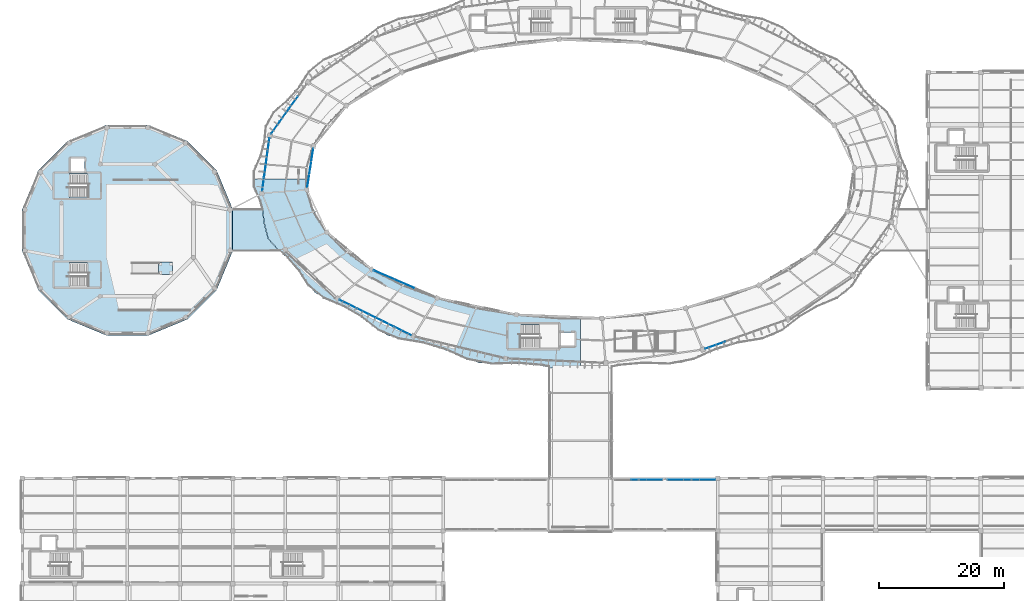
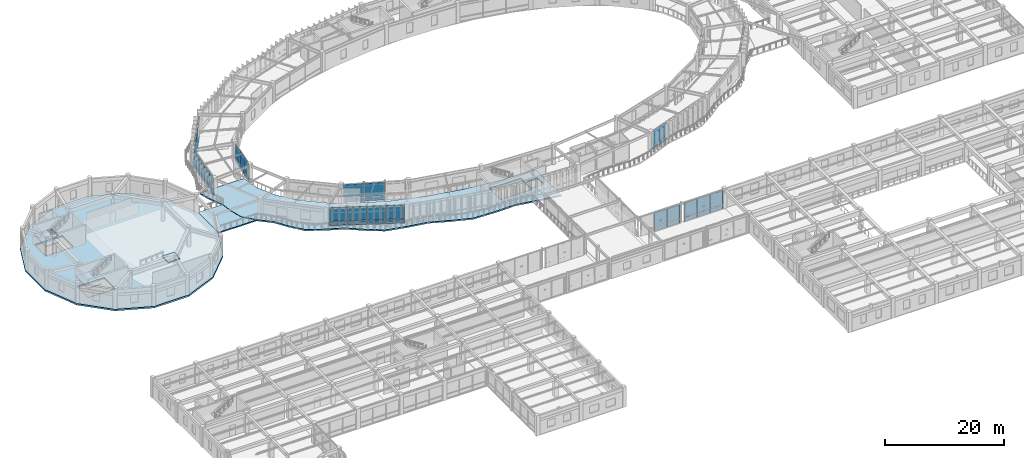
# One storey, part 113 of 152: 44 plates, 6 slabs, 11 elements without a shape of their own.
"""IFC4 building model written with IfcOpenShell, lengths in metres."""

from ifc_helpers import new_model, si_unit, direction, frame, origin, origin_2d, place, context, subcontext, project, spatial, polyline, rectangle, outline, extrude, material, layer, layer_set, type_object, element, aggregate, save


model = new_model("IFC4")

# Units and contexts
model_context = context("Model", 3, precision=1e-05, world=origin(), true_north=direction((0.0, 1.0)))
body_context = subcontext(model_context, "Body", "Model", "MODEL_VIEW")
ifc_project = project(units=[si_unit("LENGTHUNIT", "METRE"), si_unit("AREAUNIT", "SQUARE_METRE"), si_unit("VOLUMEUNIT", "CUBIC_METRE"), si_unit("PLANEANGLEUNIT", "RADIAN"), si_unit("MASSUNIT", "GRAM", prefix="KILO"), si_unit("THERMODYNAMICTEMPERATUREUNIT", "KELVIN"), si_unit("POWERUNIT", "WATT")], contexts=[model_context])

# Site, building, storey
site_placement = place(None, origin())
site = spatial("IfcSite", under=ifc_project, at=site_placement, CompositionType="ELEMENT")
building_placement = place(site_placement, origin())
building = spatial("IfcBuilding", under=site, at=building_placement, Name="Darbajah Civic Hall", CompositionType="ELEMENT")
storey_placement = place(building_placement, frame((0.0, 0.0, 5.39990234375)))
storey = spatial("IfcBuildingStorey", under=building, at=storey_placement, Name="L01", CompositionType="ELEMENT", Elevation=5.39990234375)

# Curtain wall, plates
ifc_material_1 = material(Name="Anodised Bronze Aluminium and Low-E Glazing", Category="aluminium")
curtain_wall_type_1 = type_object("IfcCurtainWallType", Name="Unitised Curtain Wall CW-27 9700x3900", PredefinedType="USERDEFINED", material=ifc_material_1)
curtain_wall_1_placement = place(storey_placement, origin())
curtain_wall_1 = element("IfcCurtainWall", 1, at=curtain_wall_1_placement, inside=storey, type_object=curtain_wall_type_1, Name="L01 unitised curtain wall CW-V1O-L01-08", ObjectType="UNITISED CURTAIN WALL", PredefinedType="USERDEFINED")
ifc_material_2 = material(Name="Low-E Solar Control Double Glazing", Category="glass")
ifc_layer_1 = layer(ifc_material_2, 0.02392578125, Name="Low-E Solar Control Double Glazing")
ifc_layer_set_1 = layer_set([ifc_layer_1], Name="Low-E Solar Control Double Glazing")
plate_type_1 = type_object("IfcPlateType", Name="Solar Double Glazing 24mm", PredefinedType="CURTAIN_PANEL", material=ifc_layer_set_1)
plate_1_placement = place(storey_placement, frame((43.270751953125, 101.939453125, 0.10009765625), z_axis=(0.0, 0.0, 1.0), x_axis=(-0.582264874145, -0.812999149039, 0.0)))
plate_1 = element("IfcPlate", 2, at=plate_1_placement, type_object=plate_type_1, Name="CW-V1O-L01-08 glazed panel 2.1", PredefinedType="CURTAIN_PANEL", context=body_context, shape_type="SweptSolid", body=[
    extrude(rectangle(XDim=2.368408203125, YDim=0.02392578125, at=origin_2d()), origin(), (0.0, 0.0, 1.0), 0.800048828125),
])
plate_2_placement = place(storey_placement, frame((43.270751953125, 101.939453125, 1.0), z_axis=(0.0, 0.0, 1.0), x_axis=(-0.582264874145, -0.812999149039, 0.0)))
plate_2 = element("IfcPlate", 3, at=plate_2_placement, type_object=plate_type_1, Name="CW-V1O-L01-08 glazed panel 2.2", PredefinedType="CURTAIN_PANEL", context=body_context, shape_type="SweptSolid", body=[
    extrude(rectangle(XDim=2.368408203125, YDim=0.02392578125, at=origin_2d()), origin(), (0.0, 0.0, 1.0), 2.820068359375),
])
plate_3_placement = place(storey_placement, frame((41.853759765625, 99.960693359375, 0.10009765625), z_axis=(0.0, 0.0, 1.0), x_axis=(-0.582264874145, -0.812999149039, 0.0)))
plate_3 = element("IfcPlate", 4, at=plate_3_placement, type_object=plate_type_1, Name="CW-V1O-L01-08 glazed panel 3.1", PredefinedType="CURTAIN_PANEL", context=body_context, shape_type="SweptSolid", body=[
    extrude(rectangle(XDim=2.368408203125, YDim=0.02392578125, at=origin_2d()), origin(), (0.0, 0.0, 1.0), 0.800048828125),
])
plate_4_placement = place(storey_placement, frame((41.853759765625, 99.960693359375, 1.0), z_axis=(0.0, 0.0, 1.0), x_axis=(-0.582264874145, -0.812999149039, 0.0)))
plate_4 = element("IfcPlate", 5, at=plate_4_placement, type_object=plate_type_1, Name="CW-V1O-L01-08 glazed panel 3.2", PredefinedType="CURTAIN_PANEL", context=body_context, shape_type="SweptSolid", body=[
    extrude(rectangle(XDim=2.368408203125, YDim=0.02392578125, at=origin_2d()), origin(), (0.0, 0.0, 1.0), 2.820068359375),
])
plate_5_placement = place(storey_placement, frame((40.43701171875, 97.982421875, 0.10009765625), z_axis=(0.0, 0.0, 1.0), x_axis=(-0.582264874145, -0.812999149039, 0.0)))
plate_5 = element("IfcPlate", 6, at=plate_5_placement, type_object=plate_type_1, Name="CW-V1O-L01-08 glazed panel 4.1", PredefinedType="CURTAIN_PANEL", context=body_context, shape_type="SweptSolid", body=[
    extrude(rectangle(XDim=2.368408203125, YDim=0.02392578125, at=origin_2d()), origin(), (0.0, 0.0, 1.0), 0.800048828125),
])
plate_6_placement = place(storey_placement, frame((40.43701171875, 97.982421875, 1.0), z_axis=(0.0, 0.0, 1.0), x_axis=(-0.582264874145, -0.812999149039, 0.0)))
plate_6 = element("IfcPlate", 7, at=plate_6_placement, type_object=plate_type_1, Name="CW-V1O-L01-08 glazed panel 4.2", PredefinedType="CURTAIN_PANEL", context=body_context, shape_type="SweptSolid", body=[
    extrude(rectangle(XDim=2.368408203125, YDim=0.02392578125, at=origin_2d()), origin(), (0.0, 0.0, 1.0), 2.820068359375),
])
aggregate(curtain_wall_1, [plate_1, plate_2, plate_3, plate_4, plate_5, plate_6])

curtain_wall_type_2 = type_object("IfcCurtainWallType", Name="Unitised Curtain Wall CW-103 7600x3950", PredefinedType="USERDEFINED", material=ifc_material_1)
curtain_wall_2_placement = place(storey_placement, origin())
curtain_wall_2 = element("IfcCurtainWall", 8, at=curtain_wall_2_placement, inside=storey, type_object=curtain_wall_type_2, Name="L01 unitised curtain wall CW-V6-SE-N-L01", ObjectType="UNITISED CURTAIN WALL", PredefinedType="USERDEFINED")
plate_7_placement = place(storey_placement, frame((98.39990234375, 41.75, 0.10009765625), z_axis=(0.0, 0.0, 1.0), x_axis=(1.0, 0.0, 0.0)))
plate_7 = element("IfcPlate", 9, at=plate_7_placement, type_object=plate_type_1, Name="CW-V6-SE-N-L01 glazed panel 2.1", PredefinedType="CURTAIN_PANEL", context=body_context, shape_type="SweptSolid", body=[
    extrude(rectangle(XDim=2.46826171875, YDim=0.02392578125, at=origin_2d()), origin(), (0.0, 0.0, 1.0), 0.800048828125),
])
plate_8_placement = place(storey_placement, frame((98.39990234375, 41.75, 1.0), z_axis=(0.0, 0.0, 1.0), x_axis=(1.0, 0.0, 0.0)))
plate_8 = element("IfcPlate", 10, at=plate_8_placement, type_object=plate_type_1, Name="CW-V6-SE-N-L01 glazed panel 2.2", PredefinedType="CURTAIN_PANEL", context=body_context, shape_type="SweptSolid", body=[
    extrude(rectangle(XDim=2.46826171875, YDim=0.02392578125, at=origin_2d()), origin(), (0.0, 0.0, 1.0), 2.830078125),
])
plate_9_placement = place(storey_placement, frame((100.933349609375, 41.75, 0.10009765625), z_axis=(0.0, 0.0, 1.0), x_axis=(1.0, 0.0, 0.0)))
plate_9 = element("IfcPlate", 11, at=plate_9_placement, type_object=plate_type_1, Name="CW-V6-SE-N-L01 glazed panel 3.1", PredefinedType="CURTAIN_PANEL", context=body_context, shape_type="SweptSolid", body=[
    extrude(rectangle(XDim=2.46826171875, YDim=0.02392578125, at=origin_2d()), origin(), (0.0, 0.0, 1.0), 0.800048828125),
])
plate_10_placement = place(storey_placement, frame((100.933349609375, 41.75, 1.0), z_axis=(0.0, 0.0, 1.0), x_axis=(1.0, 0.0, 0.0)))
plate_10 = element("IfcPlate", 12, at=plate_10_placement, type_object=plate_type_1, Name="CW-V6-SE-N-L01 glazed panel 3.2", PredefinedType="CURTAIN_PANEL", context=body_context, shape_type="SweptSolid", body=[
    extrude(rectangle(XDim=2.46826171875, YDim=0.02392578125, at=origin_2d()), origin(), (0.0, 0.0, 1.0), 2.830078125),
])
aggregate(curtain_wall_2, [plate_7, plate_8, plate_9, plate_10])

curtain_wall_3_placement = place(storey_placement, origin())
curtain_wall_3 = element("IfcCurtainWall", 13, at=curtain_wall_3_placement, inside=storey, type_object=curtain_wall_type_2, Name="L01 unitised curtain wall CW-V6-SE-N2-L01", ObjectType="UNITISED CURTAIN WALL", PredefinedType="USERDEFINED")
plate_11_placement = place(storey_placement, frame((104.2666015625, 41.75, 0.10009765625), z_axis=(0.0, 0.0, 1.0), x_axis=(1.0, 0.0, 0.0)))
plate_11 = element("IfcPlate", 14, at=plate_11_placement, type_object=plate_type_1, Name="CW-V6-SE-N2-L01 glazed panel 1.1", PredefinedType="CURTAIN_PANEL", context=body_context, shape_type="SweptSolid", body=[
    extrude(rectangle(XDim=2.46826171875, YDim=0.02392578125, at=origin_2d()), origin(), (0.0, 0.0, 1.0), 0.800048828125),
])
plate_12_placement = place(storey_placement, frame((104.2666015625, 41.75, 1.0), z_axis=(0.0, 0.0, 1.0), x_axis=(1.0, 0.0, 0.0)))
plate_12 = element("IfcPlate", 15, at=plate_12_placement, type_object=plate_type_1, Name="CW-V6-SE-N2-L01 glazed panel 1.2", PredefinedType="CURTAIN_PANEL", context=body_context, shape_type="SweptSolid", body=[
    extrude(rectangle(XDim=2.46826171875, YDim=0.02392578125, at=origin_2d()), origin(), (0.0, 0.0, 1.0), 2.830078125),
])
plate_13_placement = place(storey_placement, frame((106.800048828125, 41.75, 0.10009765625), z_axis=(0.0, 0.0, 1.0), x_axis=(1.0, 0.0, 0.0)))
plate_13 = element("IfcPlate", 16, at=plate_13_placement, type_object=plate_type_1, Name="CW-V6-SE-N2-L01 glazed panel 2.1", PredefinedType="CURTAIN_PANEL", context=body_context, shape_type="SweptSolid", body=[
    extrude(rectangle(XDim=2.46826171875, YDim=0.02392578125, at=origin_2d()), origin(), (0.0, 0.0, 1.0), 0.800048828125),
])
plate_14_placement = place(storey_placement, frame((106.800048828125, 41.75, 1.0), z_axis=(0.0, 0.0, 1.0), x_axis=(1.0, 0.0, 0.0)))
plate_14 = element("IfcPlate", 17, at=plate_14_placement, type_object=plate_type_1, Name="CW-V6-SE-N2-L01 glazed panel 2.2", PredefinedType="CURTAIN_PANEL", context=body_context, shape_type="SweptSolid", body=[
    extrude(rectangle(XDim=2.46826171875, YDim=0.02392578125, at=origin_2d()), origin(), (0.0, 0.0, 1.0), 2.830078125),
])
plate_15_placement = place(storey_placement, frame((109.333251953125, 41.75, 0.10009765625), z_axis=(0.0, 0.0, 1.0), x_axis=(1.0, 0.0, 0.0)))
plate_15 = element("IfcPlate", 18, at=plate_15_placement, type_object=plate_type_1, Name="CW-V6-SE-N2-L01 glazed panel 3.1", PredefinedType="CURTAIN_PANEL", context=body_context, shape_type="SweptSolid", body=[
    extrude(rectangle(XDim=2.46826171875, YDim=0.02392578125, at=origin_2d()), origin(), (0.0, 0.0, 1.0), 0.800048828125),
])
plate_16_placement = place(storey_placement, frame((109.333251953125, 41.75, 1.0), z_axis=(0.0, 0.0, 1.0), x_axis=(1.0, 0.0, 0.0)))
plate_16 = element("IfcPlate", 19, at=plate_16_placement, type_object=plate_type_1, Name="CW-V6-SE-N2-L01 glazed panel 3.2", PredefinedType="CURTAIN_PANEL", context=body_context, shape_type="SweptSolid", body=[
    extrude(rectangle(XDim=2.46826171875, YDim=0.02392578125, at=origin_2d()), origin(), (0.0, 0.0, 1.0), 2.830078125),
])
aggregate(curtain_wall_3, [plate_11, plate_12, plate_13, plate_14, plate_15, plate_16])

curtain_wall_type_3 = type_object("IfcCurtainWallType", Name="Unitised Curtain Wall CW-29 6300x3900", PredefinedType="USERDEFINED", material=ifc_material_1)
curtain_wall_4_placement = place(storey_placement, origin())
curtain_wall_4 = element("IfcCurtainWall", 20, at=curtain_wall_4_placement, inside=storey, type_object=curtain_wall_type_3, Name="L01 unitised curtain wall CW-V1I-L01-09", ObjectType="UNITISED CURTAIN WALL", PredefinedType="USERDEFINED")
ifc_layer_2 = layer(ifc_material_2, 0.028076171875, Name="Low-E Solar Control Double Glazing")
ifc_layer_set_2 = layer_set([ifc_layer_2], Name="Low-E Solar Control Double Glazing")
plate_type_2 = type_object("IfcPlateType", Name="Solar Double Glazing 28mm", PredefinedType="CURTAIN_PANEL", material=ifc_layer_set_2)
plate_17_placement = place(storey_placement, frame((46.295166015625, 93.614501953125, 0.1201171875), z_axis=(0.0, 0.0, 1.0), x_axis=(-0.152813355565, -0.98825506746, 0.0)))
plate_17 = element("IfcPlate", 21, at=plate_17_placement, type_object=plate_type_2, Name="CW-V1I-L01-09 glazed panel 1.1", PredefinedType="CURTAIN_PANEL", context=body_context, shape_type="SweptSolid", body=[
    extrude(rectangle(XDim=2.041259765625, YDim=0.028076171875, at=origin_2d()), origin(), (0.0, 0.0, 1.0), 0.77001953125),
])
plate_18_placement = place(storey_placement, frame((46.295166015625, 93.614501953125, 1.010009765625), z_axis=(0.0, 0.0, 1.0), x_axis=(-0.152813355565, -0.98825506746, 0.0)))
plate_18 = element("IfcPlate", 22, at=plate_18_placement, type_object=plate_type_2, Name="CW-V1I-L01-09 glazed panel 1.2", PredefinedType="CURTAIN_PANEL", context=body_context, shape_type="SweptSolid", body=[
    extrude(rectangle(XDim=2.041259765625, YDim=0.028076171875, at=origin_2d()), origin(), (0.0, 0.0, 1.0), 2.7900390625),
])
plate_19_placement = place(storey_placement, frame((45.97265625, 91.528076171875, 0.1201171875), z_axis=(0.0, 0.0, 1.0), x_axis=(-0.152813355565, -0.98825506746, 0.0)))
plate_19 = element("IfcPlate", 23, at=plate_19_placement, type_object=plate_type_2, Name="CW-V1I-L01-09 glazed panel 2.1", PredefinedType="CURTAIN_PANEL", context=body_context, shape_type="SweptSolid", body=[
    extrude(rectangle(XDim=2.041259765625, YDim=0.028076171875, at=origin_2d()), origin(), (0.0, 0.0, 1.0), 0.77001953125),
])
plate_20_placement = place(storey_placement, frame((45.97265625, 91.528076171875, 1.010009765625), z_axis=(0.0, 0.0, 1.0), x_axis=(-0.152813355565, -0.98825506746, 0.0)))
plate_20 = element("IfcPlate", 24, at=plate_20_placement, type_object=plate_type_2, Name="CW-V1I-L01-09 glazed panel 2.2", PredefinedType="CURTAIN_PANEL", context=body_context, shape_type="SweptSolid", body=[
    extrude(rectangle(XDim=2.041259765625, YDim=0.028076171875, at=origin_2d()), origin(), (0.0, 0.0, 1.0), 2.7900390625),
])
plate_21_placement = place(storey_placement, frame((45.650146484375, 89.441650390625, 0.1201171875), z_axis=(0.0, 0.0, 1.0), x_axis=(-0.152813355565, -0.98825506746, 0.0)))
plate_21 = element("IfcPlate", 25, at=plate_21_placement, type_object=plate_type_2, Name="CW-V1I-L01-09 glazed panel 3.1", PredefinedType="CURTAIN_PANEL", context=body_context, shape_type="SweptSolid", body=[
    extrude(rectangle(XDim=2.041259765625, YDim=0.028076171875, at=origin_2d()), origin(), (0.0, 0.0, 1.0), 0.77001953125),
])
plate_22_placement = place(storey_placement, frame((45.650146484375, 89.441650390625, 1.010009765625), z_axis=(0.0, 0.0, 1.0), x_axis=(-0.152813355565, -0.98825506746, 0.0)))
plate_22 = element("IfcPlate", 26, at=plate_22_placement, type_object=plate_type_2, Name="CW-V1I-L01-09 glazed panel 3.2", PredefinedType="CURTAIN_PANEL", context=body_context, shape_type="SweptSolid", body=[
    extrude(rectangle(XDim=2.041259765625, YDim=0.028076171875, at=origin_2d()), origin(), (0.0, 0.0, 1.0), 2.7900390625),
])
aggregate(curtain_wall_4, [plate_17, plate_18, plate_19, plate_20, plate_21, plate_22])

curtain_wall_type_4 = type_object("IfcCurtainWallType", Name="Unitised Curtain Wall CW-19 10700x3900", PredefinedType="USERDEFINED", material=ifc_material_1)
curtain_wall_5_placement = place(storey_placement, origin())
curtain_wall_5 = element("IfcCurtainWall", 27, at=curtain_wall_5_placement, inside=storey, type_object=curtain_wall_type_4, Name="L01 unitised curtain wall CW-V1I-L01-12", ObjectType="UNITISED CURTAIN WALL", PredefinedType="USERDEFINED")
plate_23_placement = place(storey_placement, frame((57.74609375, 74.468505859375, 0.1201171875), z_axis=(0.0, 0.0, 1.0), x_axis=(0.917060074385, -0.398749068925, 0.0)))
plate_23 = element("IfcPlate", 28, at=plate_23_placement, type_object=plate_type_2, Name="CW-V1I-L01-12 glazed panel 1.1", PredefinedType="CURTAIN_PANEL", context=body_context, shape_type="SweptSolid", body=[
    extrude(rectangle(XDim=3.48291015625, YDim=0.028076171875, at=origin_2d()), origin(), (0.0, 0.0, 1.0), 0.77001953125),
])
plate_24_placement = place(storey_placement, frame((57.74609375, 74.468505859375, 1.010009765625), z_axis=(0.0, 0.0, 1.0), x_axis=(0.917060074385, -0.398749068925, 0.0)))
plate_24 = element("IfcPlate", 29, at=plate_24_placement, type_object=plate_type_2, Name="CW-V1I-L01-12 glazed panel 1.2", PredefinedType="CURTAIN_PANEL", context=body_context, shape_type="SweptSolid", body=[
    extrude(rectangle(XDim=3.48291015625, YDim=0.028076171875, at=origin_2d()), origin(), (0.0, 0.0, 1.0), 2.7900390625),
])
plate_25_placement = place(storey_placement, frame((61.00439453125, 73.0517578125, 0.1201171875), z_axis=(0.0, 0.0, 1.0), x_axis=(0.917060074385, -0.398749068925, 0.0)))
plate_25 = element("IfcPlate", 30, at=plate_25_placement, type_object=plate_type_2, Name="CW-V1I-L01-12 glazed panel 2.1", PredefinedType="CURTAIN_PANEL", context=body_context, shape_type="SweptSolid", body=[
    extrude(rectangle(XDim=3.48291015625, YDim=0.028076171875, at=origin_2d()), origin(), (0.0, 0.0, 1.0), 0.77001953125),
])
plate_26_placement = place(storey_placement, frame((61.00439453125, 73.0517578125, 1.010009765625), z_axis=(0.0, 0.0, 1.0), x_axis=(0.917060074385, -0.398749068925, 0.0)))
plate_26 = element("IfcPlate", 31, at=plate_26_placement, type_object=plate_type_2, Name="CW-V1I-L01-12 glazed panel 2.2", PredefinedType="CURTAIN_PANEL", context=body_context, shape_type="SweptSolid", body=[
    extrude(rectangle(XDim=3.48291015625, YDim=0.028076171875, at=origin_2d()), origin(), (0.0, 0.0, 1.0), 2.7900390625),
])
aggregate(curtain_wall_5, [plate_23, plate_24, plate_25, plate_26])

curtain_wall_type_5 = type_object("IfcCurtainWallType", Name="Unitised Curtain Wall CW-33 13700x3900", PredefinedType="USERDEFINED", material=ifc_material_1)
curtain_wall_6_placement = place(storey_placement, origin())
curtain_wall_6 = element("IfcCurtainWall", 32, at=curtain_wall_6_placement, inside=storey, type_object=curtain_wall_type_5, Name="L01 unitised curtain wall CW-V1O-L01-16", ObjectType="UNITISED CURTAIN WALL", PredefinedType="USERDEFINED")
plate_27_placement = place(storey_placement, frame((110.583984375, 63.242919921875, 0.1201171875), z_axis=(0.0, 0.0, 1.0), x_axis=(0.94252491309, 0.334135882844, 0.0)))
plate_27 = element("IfcPlate", 33, at=plate_27_placement, type_object=plate_type_2, Name="CW-V1O-L01-16 glazed panel 1.1", PredefinedType="CURTAIN_PANEL", context=body_context, shape_type="SweptSolid", body=[
    extrude(rectangle(XDim=3.35009765625, YDim=0.028076171875, at=origin_2d()), origin(), (0.0, 0.0, 1.0), 0.77001953125),
])
plate_28_placement = place(storey_placement, frame((110.583984375, 63.242919921875, 1.010009765625), z_axis=(0.0, 0.0, 1.0), x_axis=(0.94252491309, 0.334135882844, 0.0)))
plate_28 = element("IfcPlate", 34, at=plate_28_placement, type_object=plate_type_2, Name="CW-V1O-L01-16 glazed panel 1.2", PredefinedType="CURTAIN_PANEL", context=body_context, shape_type="SweptSolid", body=[
    extrude(rectangle(XDim=3.35009765625, YDim=0.028076171875, at=origin_2d()), origin(), (0.0, 0.0, 1.0), 2.7900390625),
])
aggregate(curtain_wall_6, [plate_27, plate_28])

curtain_wall_type_6 = type_object("IfcCurtainWallType", Name="Unitised Curtain Wall CW-28 8500x3900", PredefinedType="USERDEFINED", material=ifc_material_1)
curtain_wall_7_placement = place(storey_placement, origin())
curtain_wall_7 = element("IfcCurtainWall", 35, at=curtain_wall_7_placement, inside=storey, type_object=curtain_wall_type_6, Name="L01 unitised curtain wall CW-V1O-L01-09", ObjectType="UNITISED CURTAIN WALL", PredefinedType="USERDEFINED")
ifc_layer_3 = layer(ifc_material_2, 0.031982421875, Name="Low-E Solar Control Double Glazing")
ifc_layer_set_3 = layer_set([ifc_layer_3], Name="Low-E Solar Control Double Glazing")
plate_type_3 = type_object("IfcPlateType", Name="Solar Double Glazing 32mm", PredefinedType="CURTAIN_PANEL", material=ifc_layer_set_3)
plate_29_placement = place(storey_placement, frame((39.314453125, 95.256103515625, 0.14013671875), z_axis=(0.0, 0.0, 1.0), x_axis=(-0.134850930274, -0.990865897387, 0.0)))
plate_29 = element("IfcPlate", 36, at=plate_29_placement, type_object=plate_type_3, Name="CW-V1O-L01-09 glazed panel 1.1", PredefinedType="CURTAIN_PANEL", context=body_context, shape_type="SweptSolid", body=[
    extrude(rectangle(XDim=2.05810546875, YDim=0.031982421875, at=origin_2d()), origin(), (0.0, 0.0, 1.0), 0.739990234375),
])
plate_30_placement = place(storey_placement, frame((39.314453125, 95.256103515625, 1.02001953125), z_axis=(0.0, 0.0, 1.0), x_axis=(-0.134850930274, -0.990865897387, 0.0)))
plate_30 = element("IfcPlate", 37, at=plate_30_placement, type_object=plate_type_3, Name="CW-V1O-L01-09 glazed panel 1.2", PredefinedType="CURTAIN_PANEL", context=body_context, shape_type="SweptSolid", body=[
    extrude(rectangle(XDim=2.05810546875, YDim=0.031982421875, at=origin_2d()), origin(), (0.0, 0.0, 1.0), 2.760009765625),
])
plate_31_placement = place(storey_placement, frame((39.02685546875, 93.142822265625, 0.14013671875), z_axis=(0.0, 0.0, 1.0), x_axis=(-0.134850930274, -0.990865897387, 0.0)))
plate_31 = element("IfcPlate", 38, at=plate_31_placement, type_object=plate_type_3, Name="CW-V1O-L01-09 glazed panel 2.1", PredefinedType="CURTAIN_PANEL", context=body_context, shape_type="SweptSolid", body=[
    extrude(rectangle(XDim=2.05810546875, YDim=0.031982421875, at=origin_2d()), origin(), (0.0, 0.0, 1.0), 0.739990234375),
])
plate_32_placement = place(storey_placement, frame((39.02685546875, 93.142822265625, 1.02001953125), z_axis=(0.0, 0.0, 1.0), x_axis=(-0.134850930274, -0.990865897387, 0.0)))
plate_32 = element("IfcPlate", 39, at=plate_32_placement, type_object=plate_type_3, Name="CW-V1O-L01-09 glazed panel 2.2", PredefinedType="CURTAIN_PANEL", context=body_context, shape_type="SweptSolid", body=[
    extrude(rectangle(XDim=2.05810546875, YDim=0.031982421875, at=origin_2d()), origin(), (0.0, 0.0, 1.0), 2.760009765625),
])
plate_33_placement = place(storey_placement, frame((38.739501953125, 91.029296875, 0.14013671875), z_axis=(0.0, 0.0, 1.0), x_axis=(-0.134850930274, -0.990865897387, 0.0)))
plate_33 = element("IfcPlate", 40, at=plate_33_placement, type_object=plate_type_3, Name="CW-V1O-L01-09 glazed panel 3.1", PredefinedType="CURTAIN_PANEL", context=body_context, shape_type="SweptSolid", body=[
    extrude(rectangle(XDim=2.05810546875, YDim=0.031982421875, at=origin_2d()), origin(), (0.0, 0.0, 1.0), 0.739990234375),
])
plate_34_placement = place(storey_placement, frame((38.739501953125, 91.029296875, 1.02001953125), z_axis=(0.0, 0.0, 1.0), x_axis=(-0.134850930274, -0.990865897387, 0.0)))
plate_34 = element("IfcPlate", 41, at=plate_34_placement, type_object=plate_type_3, Name="CW-V1O-L01-09 glazed panel 3.2", PredefinedType="CURTAIN_PANEL", context=body_context, shape_type="SweptSolid", body=[
    extrude(rectangle(XDim=2.05810546875, YDim=0.031982421875, at=origin_2d()), origin(), (0.0, 0.0, 1.0), 2.760009765625),
])
plate_35_placement = place(storey_placement, frame((38.451904296875, 88.916015625, 0.14013671875), z_axis=(0.0, 0.0, 1.0), x_axis=(-0.134850930274, -0.990865897387, 0.0)))
plate_35 = element("IfcPlate", 42, at=plate_35_placement, type_object=plate_type_3, Name="CW-V1O-L01-09 glazed panel 4.1", PredefinedType="CURTAIN_PANEL", context=body_context, shape_type="SweptSolid", body=[
    extrude(rectangle(XDim=2.05810546875, YDim=0.031982421875, at=origin_2d()), origin(), (0.0, 0.0, 1.0), 0.739990234375),
])
plate_36_placement = place(storey_placement, frame((38.451904296875, 88.916015625, 1.02001953125), z_axis=(0.0, 0.0, 1.0), x_axis=(-0.134850930274, -0.990865897387, 0.0)))
plate_36 = element("IfcPlate", 43, at=plate_36_placement, type_object=plate_type_3, Name="CW-V1O-L01-09 glazed panel 4.2", PredefinedType="CURTAIN_PANEL", context=body_context, shape_type="SweptSolid", body=[
    extrude(rectangle(XDim=2.05810546875, YDim=0.031982421875, at=origin_2d()), origin(), (0.0, 0.0, 1.0), 2.760009765625),
])
aggregate(curtain_wall_7, [plate_29, plate_30, plate_31, plate_32, plate_33, plate_34, plate_35, plate_36])

curtain_wall_type_7 = type_object("IfcCurtainWallType", Name="Unitised Curtain Wall CW-30 12800x3900", PredefinedType="USERDEFINED", material=ifc_material_1)
curtain_wall_8_placement = place(storey_placement, origin())
curtain_wall_8 = element("IfcCurtainWall", 44, at=curtain_wall_8_placement, inside=storey, type_object=curtain_wall_type_7, Name="L01 unitised curtain wall CW-V1O-L01-12", ObjectType="UNITISED CURTAIN WALL", PredefinedType="USERDEFINED")
plate_37_placement = place(storey_placement, frame((52.08935546875, 69.766845703125, 0.14013671875), z_axis=(0.0, 0.0, 1.0), x_axis=(0.89656374724, -0.442914717678, 0.0)))
plate_37 = element("IfcPlate", 45, at=plate_37_placement, type_object=plate_type_3, Name="CW-V1O-L01-12 glazed panel 1.1", PredefinedType="CURTAIN_PANEL", context=body_context, shape_type="SweptSolid", body=[
    extrude(rectangle(XDim=3.119873046875, YDim=0.031982421875, at=origin_2d()), origin(), (0.0, 0.0, 1.0), 0.739990234375),
])
plate_38_placement = place(storey_placement, frame((52.08935546875, 69.766845703125, 1.02001953125), z_axis=(0.0, 0.0, 1.0), x_axis=(0.89656374724, -0.442914717678, 0.0)))
plate_38 = element("IfcPlate", 46, at=plate_38_placement, type_object=plate_type_3, Name="CW-V1O-L01-12 glazed panel 1.2", PredefinedType="CURTAIN_PANEL", context=body_context, shape_type="SweptSolid", body=[
    extrude(rectangle(XDim=3.119873046875, YDim=0.031982421875, at=origin_2d()), origin(), (0.0, 0.0, 1.0), 2.760009765625),
])
plate_39_placement = place(storey_placement, frame((54.95361328125, 68.351806640625, 0.14013671875), z_axis=(0.0, 0.0, 1.0), x_axis=(0.89656374724, -0.442914717678, 0.0)))
plate_39 = element("IfcPlate", 47, at=plate_39_placement, type_object=plate_type_3, Name="CW-V1O-L01-12 glazed panel 2.1", PredefinedType="CURTAIN_PANEL", context=body_context, shape_type="SweptSolid", body=[
    extrude(rectangle(XDim=3.119873046875, YDim=0.031982421875, at=origin_2d()), origin(), (0.0, 0.0, 1.0), 0.739990234375),
])
plate_40_placement = place(storey_placement, frame((54.95361328125, 68.351806640625, 1.02001953125), z_axis=(0.0, 0.0, 1.0), x_axis=(0.89656374724, -0.442914717678, 0.0)))
plate_40 = element("IfcPlate", 48, at=plate_40_placement, type_object=plate_type_3, Name="CW-V1O-L01-12 glazed panel 2.2", PredefinedType="CURTAIN_PANEL", context=body_context, shape_type="SweptSolid", body=[
    extrude(rectangle(XDim=3.119873046875, YDim=0.031982421875, at=origin_2d()), origin(), (0.0, 0.0, 1.0), 2.760009765625),
])
plate_41_placement = place(storey_placement, frame((57.818115234375, 66.936767578125, 0.14013671875), z_axis=(0.0, 0.0, 1.0), x_axis=(0.89656374724, -0.442914717678, 0.0)))
plate_41 = element("IfcPlate", 49, at=plate_41_placement, type_object=plate_type_3, Name="CW-V1O-L01-12 glazed panel 3.1", PredefinedType="CURTAIN_PANEL", context=body_context, shape_type="SweptSolid", body=[
    extrude(rectangle(XDim=3.119873046875, YDim=0.031982421875, at=origin_2d()), origin(), (0.0, 0.0, 1.0), 0.739990234375),
])
plate_42_placement = place(storey_placement, frame((57.818115234375, 66.936767578125, 1.02001953125), z_axis=(0.0, 0.0, 1.0), x_axis=(0.89656374724, -0.442914717678, 0.0)))
plate_42 = element("IfcPlate", 50, at=plate_42_placement, type_object=plate_type_3, Name="CW-V1O-L01-12 glazed panel 3.2", PredefinedType="CURTAIN_PANEL", context=body_context, shape_type="SweptSolid", body=[
    extrude(rectangle(XDim=3.119873046875, YDim=0.031982421875, at=origin_2d()), origin(), (0.0, 0.0, 1.0), 2.760009765625),
])
plate_43_placement = place(storey_placement, frame((60.6826171875, 65.521484375, 0.14013671875), z_axis=(0.0, 0.0, 1.0), x_axis=(0.89656374724, -0.442914717678, 0.0)))
plate_43 = element("IfcPlate", 51, at=plate_43_placement, type_object=plate_type_3, Name="CW-V1O-L01-12 glazed panel 4.1", PredefinedType="CURTAIN_PANEL", context=body_context, shape_type="SweptSolid", body=[
    extrude(rectangle(XDim=3.119873046875, YDim=0.031982421875, at=origin_2d()), origin(), (0.0, 0.0, 1.0), 0.739990234375),
])
plate_44_placement = place(storey_placement, frame((60.6826171875, 65.521484375, 1.02001953125), z_axis=(0.0, 0.0, 1.0), x_axis=(0.89656374724, -0.442914717678, 0.0)))
plate_44 = element("IfcPlate", 52, at=plate_44_placement, type_object=plate_type_3, Name="CW-V1O-L01-12 glazed panel 4.2", PredefinedType="CURTAIN_PANEL", context=body_context, shape_type="SweptSolid", body=[
    extrude(rectangle(XDim=3.119873046875, YDim=0.031982421875, at=origin_2d()), origin(), (0.0, 0.0, 1.0), 2.760009765625),
])
aggregate(curtain_wall_8, [plate_37, plate_38, plate_39, plate_40, plate_41, plate_42, plate_43, plate_44])

# Stair, slab
ifc_material_3 = material(Name="Concrete C45/55", Category="concrete")
stair_type = type_object("IfcStairType", Name="Half Turn Stair 1650x4200", PredefinedType="HALF_TURN_STAIR", material=ifc_material_3)
stair_1_placement = place(storey_placement, origin())
stair_1 = element("IfcStair", 53, at=stair_1_placement, inside=storey, type_object=stair_type, Name="L01 enclosed exit stair ST04", PredefinedType="HALF_TURN_STAIR")
ifc_layer_4 = layer(ifc_material_3, 0.199951171875, Name="Concrete C45/55")
ifc_layer_set_4 = layer_set([ifc_layer_4], Name="Concrete C45/55")
slab_type_1 = type_object("IfcSlabType", Name="Stair Landing Slab 200mm", PredefinedType="LANDING", material=ifc_layer_set_4)
slab_1_placement = place(storey_placement, frame((0.0, 0.0, 1.900146484375)))
slab_1 = element("IfcSlab", 54, at=slab_1_placement, type_object=slab_type_1, Name="ST04 L01 half-landing", PredefinedType="LANDING", context=body_context, shape_type="SweptSolid", body=[
    extrude(outline(polyline([(5.0, 86.60009765625), (7.56005859375, 86.60009765625), (7.56005859375, 90.800048828125), (5.0, 90.800048828125), (5.0, 86.60009765625)])), origin(), (0.0, 0.0, 1.0), 0.199951171875),
])
aggregate(stair_1, [slab_1])

stair_2_placement = place(storey_placement, origin())
stair_2 = element("IfcStair", 55, at=stair_2_placement, inside=storey, type_object=stair_type, Name="L01 enclosed exit stair ST05", PredefinedType="HALF_TURN_STAIR")
slab_2_placement = place(storey_placement, frame((0.0, 0.0, 1.900146484375)))
slab_2 = element("IfcSlab", 56, at=slab_2_placement, type_object=slab_type_1, Name="ST05 L01 half-landing", PredefinedType="LANDING", context=body_context, shape_type="SweptSolid", body=[
    extrude(outline(polyline([(5.0, 72.39990234375), (7.56005859375, 72.39990234375), (7.56005859375, 76.60009765625), (5.0, 76.60009765625), (5.0, 72.39990234375)])), origin(), (0.0, 0.0, 1.0), 0.199951171875),
])
aggregate(stair_2, [slab_2])

# Ramp, slab
ramp_type = type_object("IfcRampType", Name="Accessible Straight Ramp", PredefinedType="STRAIGHT_RUN_RAMP", material=ifc_material_3)
ramp_placement = place(storey_placement, origin())
ramp = element("IfcRamp", 57, at=ramp_placement, inside=storey, type_object=ramp_type, Name="Council Chamber Mayoral Dais Ramp", PredefinedType="STRAIGHT_RUN_RAMP")
slab_3_placement = place(storey_placement, frame((0.0, 0.0, 0.16015625)))
slab_3 = element("IfcSlab", 58, at=slab_3_placement, type_object=slab_type_1, Name="Council Chamber Mayoral Dais Ramp upper landing", PredefinedType="LANDING", context=body_context, shape_type="SweptSolid", body=[
    extrude(outline(polyline([(21.77001953125, 74.5), (24.02001953125, 74.5), (24.02001953125, 76.5), (21.77001953125, 76.5), (21.77001953125, 74.5)])), origin(), (0.0, 0.0, 1.0), 0.199951171875),
])
aggregate(ramp, [slab_3])

# Slabs
ifc_layer_5 = layer(ifc_material_3, 0.239990234375, Name="Concrete C45/55")
ifc_layer_set_5 = layer_set([ifc_layer_5], Name="Concrete C45/55")
slab_type_2 = type_object("IfcSlabType", Name="Structural Floor Slab 240mm", PredefinedType="FLOOR", material=ifc_layer_set_5)
slab_4_placement = place(storey_placement, frame((0.0, 0.0, -0.239990234375)))
element("IfcSlab", 59, at=slab_4_placement, inside=storey, type_object=slab_type_2, Name="L01 Screened Link Walk W floor slab", PredefinedType="FLOOR", context=body_context, shape_type="SweptSolid", body=[
    extrude(outline(polyline([(33.85009765625, 78.199951171875), (33.60009765625, 78.449951171875), (33.60009765625, 84.75), (33.85009765625, 85.0), (38.324462890625, 85.0), (38.603759765625, 82.701904296875), (38.60498046875, 82.695556640625), (39.228515625, 80.2431640625), (39.22998046875, 80.23828125), (39.23193359375, 80.23388671875), (39.234130859375, 80.2294921875), (39.23681640625, 80.2255859375), (39.239990234375, 80.2216796875), (41.077880859375, 78.199951171875), (33.85009765625, 78.199951171875)])), origin(), (0.0, 0.0, 1.0), 0.239990234375),
])
ifc_layer_6 = layer(ifc_material_3, 0.280029296875, Name="Concrete C45/55")
ifc_layer_set_6 = layer_set([ifc_layer_6], Name="Concrete C45/55")
slab_type_3 = type_object("IfcSlabType", Name="Structural Floor Slab 280mm", PredefinedType="FLOOR", material=ifc_layer_set_6)
slab_5_placement = place(storey_placement, frame((0.0, 0.0, -0.27978515625)))
element("IfcSlab", 60, at=slab_5_placement, inside=storey, type_object=slab_type_3, Name="L01 Oval Administration Ring SW floor slab", PredefinedType="FLOOR", context=body_context, shape_type="SweptSolid", body=[
    extrude(outline(polyline([(36.712890625, 89.800048828125), (37.3798828125, 87.41650390625), (38.359619140625, 85.126708984375), (38.6533203125, 82.7080078125), (39.277099609375, 80.25537109375), (41.169189453125, 78.174072265625), (43.326416015625, 76.23779296875), (44.864990234375, 73.926513671875), (46.718017578125, 71.64501953125), (49.650146484375, 70.06982421875), (52.773681640625, 68.676513671875), (55.406494140625, 66.698974609375), (58.3076171875, 64.81201171875), (61.992919921875, 63.896728515625), (65.777099609375, 63.18310546875), (69.246337890625, 61.732421875), (72.91162109375, 60.4248046875), (76.989013671875, 60.259521484375), (81.0634765625, 60.294921875), (85.029541015625, 59.513671875), (89.10009765625, 58.9130859375), (89.10009765625, 67.52001953125), (82.251220703125, 67.794189453125), (75.5712890625, 68.610595703125), (69.224365234375, 69.948486328125), (63.36669921875, 71.775146484375), (58.142822265625, 74.045654296875), (53.68115234375, 76.7041015625), (50.091796875, 79.68505859375), (47.462646484375, 82.9150390625), (45.85888671875, 86.314697265625), (45.320068359375, 89.800048828125), (36.712890625, 89.800048828125)]), holes=[polyline([(79.580078125, 66.580078125), (85.659912109375, 66.580078125), (85.659912109375, 62.820068359375), (79.580078125, 62.820068359375), (79.580078125, 66.580078125)]), polyline([(85.949951171875, 65.25), (88.14990234375, 65.25), (88.14990234375, 63.14990234375), (85.949951171875, 63.14990234375), (85.949951171875, 65.25)])]), origin(), (0.0, 0.0, 1.0), 0.27978515625),
])
ifc_layer_7 = layer(ifc_material_3, 0.320068359375, Name="Concrete C45/55")
ifc_layer_set_7 = layer_set([ifc_layer_7], Name="Concrete C45/55")
slab_type_4 = type_object("IfcSlabType", Name="Structural Floor Slab 320mm", PredefinedType="FLOOR", material=ifc_layer_set_7)
slab_6_placement = place(storey_placement, frame((0.0, 0.0, -0.31982421875)))
element("IfcSlab", 61, at=slab_6_placement, inside=storey, type_object=slab_type_4, Name="L01 Council Chamber drum floor slab", PredefinedType="FLOOR", context=body_context, shape_type="SweptSolid", body=[
    extrude(outline(polyline([(33.60009765625, 84.941650390625), (31.04248046875, 91.116455078125), (26.31640625, 95.84228515625), (20.1416015625, 98.39990234375), (13.458251953125, 98.39990234375), (7.28369140625, 95.84228515625), (2.5576171875, 91.116455078125), (0.0, 84.941650390625), (0.0, 78.25830078125), (2.5576171875, 72.08349609375), (7.28369140625, 67.357666015625), (13.458251953125, 64.800048828125), (20.1416015625, 64.800048828125), (26.31640625, 67.357666015625), (31.04248046875, 72.08349609375), (33.60009765625, 78.25830078125), (33.60009765625, 84.941650390625)]), holes=[polyline([(5.139892578125, 90.580078125), (10.419921875, 90.580078125), (10.419921875, 86.820068359375), (5.139892578125, 86.820068359375), (5.139892578125, 90.580078125)]), polyline([(7.75, 93.050048828125), (9.949951171875, 93.050048828125), (9.949951171875, 90.949951171875), (7.75, 90.949951171875), (7.75, 93.050048828125)]), polyline([(5.139892578125, 76.3798828125), (10.419921875, 76.3798828125), (10.419921875, 72.6201171875), (5.139892578125, 72.6201171875), (5.139892578125, 76.3798828125)])]), origin(), (0.0, 0.0, 1.0), 0.31982421875),
])

save(model, "model.ifc")
